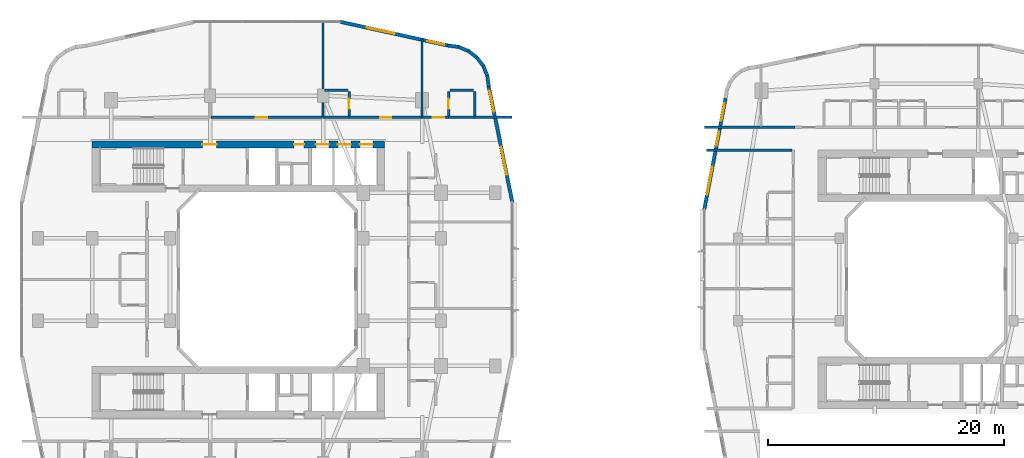
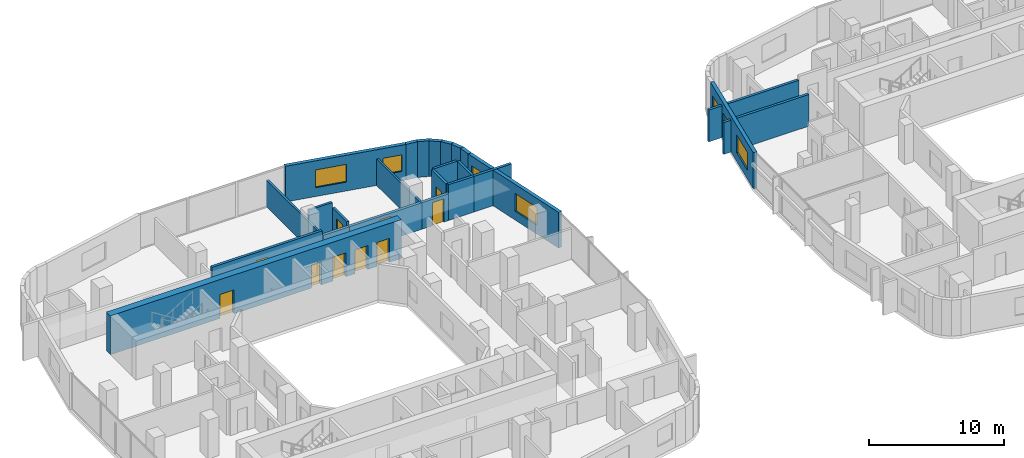
# One storey, part 17 of 27: 25 walls, 10 doors, 7 windows, 17 openings.
"""IFC4 building model written with IfcOpenShell, lengths in metres."""

from ifc_helpers import new_model, si_unit, derived_unit, direction, frame, frame_2d, origin, place, context, subcontext, project, spatial, rectangle, extrude, material, layer, layer_set, type_object, element, fill, save


model = new_model("IFC4")

# Units and contexts
model_context = context("Model", 3, precision=1e-05, world=origin(), true_north=direction((0.0, 1.0)))
body_context = subcontext(model_context, "Body", "Model", "MODEL_VIEW")
ifc_project = project(units=[si_unit("LENGTHUNIT", "METRE"), si_unit("AREAUNIT", "SQUARE_METRE"), si_unit("VOLUMEUNIT", "CUBIC_METRE"), si_unit("PLANEANGLEUNIT", "RADIAN"), si_unit("MASSUNIT", "GRAM", prefix="KILO"), derived_unit("THERMALTRANSMITTANCEUNIT", [(si_unit("POWERUNIT", "WATT"), 1), (si_unit("LENGTHUNIT", "METRE"), -2), (si_unit("THERMODYNAMICTEMPERATUREUNIT", "KELVIN"), -1)])], contexts=[model_context])

# Site, building, storey
site_placement = place(None, origin())
site = spatial("IfcSite", under=ifc_project, at=site_placement, CompositionType="ELEMENT")
building_placement = place(site_placement, origin())
building = spatial("IfcBuilding", under=site, at=building_placement, Name="Kivonza Crest Hotel", CompositionType="ELEMENT")
storey_placement = place(building_placement, frame((0.0, 0.0, 34.5)))
storey = spatial("IfcBuildingStorey", under=building, at=storey_placement, Name="L08", CompositionType="ELEMENT", Elevation=34.5)

# Walls
ifc_material_1 = material(Name="High-density acoustic masonry inter-tenancy wall", Category="masonry")
ifc_layer_1 = layer(ifc_material_1, 0.179931640625)
ifc_layer_set_1 = layer_set([ifc_layer_1], Name="High-density acoustic masonry inter-tenancy wall")
wall_type_1 = type_object("IfcWallType", Name="WL-ACOU-180", PredefinedType="SOLIDWALL", material=ifc_layer_set_1)
wall_1_placement = place(storey_placement, frame((25.800048828125, 38.75, 0.0), z_axis=(0.0, 0.0, 1.0), x_axis=(0.0, 1.0, 0.0)))
element("IfcWall", 1, at=wall_1_placement, inside=storey, type_object=wall_type_1, Name="L08 interior partition WA-L08-T1N-DIV2", PredefinedType="SOLIDWALL", context=body_context, shape_type="SweptSolid", body=[
    extrude(rectangle(XDim=8.18994140625, YDim=0.179931640625, at=frame_2d((4.094970703125, 0.0))), origin(), (0.0, 0.0, 1.0), 2.39501953125),
])
wall_2_placement = place(storey_placement, frame((34.199951171875, 38.75, 0.0), z_axis=(0.0, 0.0, 1.0), x_axis=(0.0, 1.0, 0.0)))
element("IfcWall", 2, at=wall_2_placement, inside=storey, type_object=wall_type_1, Name="L08 interior partition WA-L08-T1N-DIV3", PredefinedType="SOLIDWALL", context=body_context, shape_type="SweptSolid", body=[
    extrude(rectangle(XDim=6.674072265625, YDim=0.179931640625, at=frame_2d((3.3369140625, 0.0))), origin(), (0.0, 0.0, 1.0), 2.39501953125),
])

# Wall, opening, door
ifc_material_2 = material(Name="Autoclaved aerated concrete blockwork", Category="masonry")
ifc_layer_2 = layer(ifc_material_2, 0.219970703125)
ifc_layer_set_2 = layer_set([ifc_layer_2], Name="Autoclaved aerated concrete blockwork")
wall_type_2 = type_object("IfcWallType", Name="WL-ACOU-220", PredefinedType="SOLIDWALL", material=ifc_layer_set_2)
wall_3_placement = place(storey_placement, frame((16.300048828125, 38.75, 0.0), z_axis=(0.0, 0.0, 1.0), x_axis=(1.0, 0.0, 0.0)))
wall_3 = element("IfcWall", 3, at=wall_3_placement, inside=storey, type_object=wall_type_2, Name="L08 interior partition WA-L08-HK-MAIN-S", PredefinedType="SOLIDWALL", context=body_context, shape_type="SweptSolid", body=[
    extrude(rectangle(XDim=9.39990234375, YDim=0.219970703125, at=frame_2d((4.699951171875, 0.0))), origin(), (0.0, 0.0, 1.0), 2.8349609375),
])
opening_1_placement = place(wall_3_placement, frame((3.79296875, 0.0, 0.0)))
opening_1 = element("IfcOpeningElement", 4, at=opening_1_placement, cuts=wall_3, Name="Opening DF-60S", PredefinedType="OPENING", context=body_context, shape_type="SweptSolid", body=[
    extrude(rectangle(XDim=0.949951171875, YDim=2.10009765625, at=frame_2d((0.47509765625, 1.050048828125))), frame((0.0, 0.1201171875, 0.0), z_axis=(0.0, -1.0, 0.0), x_axis=(1.0, 0.0, 0.0)), (0.0, 0.0, 1.0), 0.239990234375),
])
ifc_material_3 = material(Name="Hardwood timber oak", Category="wood")
door_type_1 = type_object("IfcDoorType", Name="DR-FD60-950", OperationType="NOTDEFINED", PredefinedType="DOOR", material=ifc_material_3)
door_1_placement = place(opening_1_placement, origin())
door_1 = element("IfcDoor", 5, at=door_1_placement, inside=storey, type_object=door_type_1, Name="L08 Housekeeping and Linen Room door", OperationType="SINGLE_SWING_RIGHT", OverallHeight=2.10009765625, OverallWidth=0.949951171875, PredefinedType="DOOR", context=body_context, shape_type="SweptSolid", body=[
    extrude(rectangle(XDim=0.949951171875, YDim=2.10009765625, at=frame_2d((0.47509765625, 1.050048828125))), frame((0.0, 0.02490234375, 0.0), z_axis=(0.0, -1.0, 0.0), x_axis=(1.0, 0.0, 0.0)), (0.0, 0.0, 1.0), 0.050048828125),
])
fill(opening_1, door_1)

# Wall
wall_4_placement = place(storey_placement, frame((25.800048828125, 38.75, 0.0), z_axis=(0.0, 0.0, 1.0), x_axis=(1.0, 0.0, 0.0)))
element("IfcWall", 6, at=wall_4_placement, inside=storey, type_object=wall_type_2, Name="L08 interior partition WA-L08-N02-BCORR", PredefinedType="SOLIDWALL", context=body_context, shape_type="SweptSolid", body=[
    extrude(rectangle(XDim=2.199951171875, YDim=0.219970703125, at=frame_2d((1.10009765625, 0.0))), origin(), (0.0, 0.0, 1.0), 2.39501953125),
])

# Wall, opening, door
wall_5_placement = place(storey_placement, frame((28.0, 38.75, 0.0), z_axis=(0.0, 0.0, 1.0), x_axis=(1.0, 0.0, 0.0)))
wall_5 = element("IfcWall", 7, at=wall_5_placement, inside=storey, type_object=wall_type_2, Name="L08 interior partition WA-L08-N02-MCORR", PredefinedType="SOLIDWALL", context=body_context, shape_type="SweptSolid", body=[
    extrude(rectangle(XDim=6.199951171875, YDim=0.219970703125, at=frame_2d((3.10009765625, 0.0))), origin(), (0.0, 0.0, 1.0), 2.39501953125),
])
opening_2_placement = place(wall_5_placement, frame((2.625, 0.0, 0.0)))
opening_2 = element("IfcOpeningElement", 8, at=opening_2_placement, cuts=wall_5, Name="Opening DU-60", PredefinedType="OPENING", context=body_context, shape_type="SweptSolid", body=[
    extrude(rectangle(XDim=0.949951171875, YDim=2.10009765625, at=frame_2d((0.47509765625, 1.050048828125))), frame((0.0, 0.1201171875, 0.0), z_axis=(0.0, -1.0, 0.0), x_axis=(1.0, 0.0, 0.0)), (0.0, 0.0, 1.0), 0.239990234375),
])
door_type_2 = type_object("IfcDoorType", Name="DR-UNIT-950", OperationType="NOTDEFINED", PredefinedType="DOOR", material=ifc_material_3)
door_2_placement = place(opening_2_placement, origin())
door_2 = element("IfcDoor", 9, at=door_2_placement, inside=storey, type_object=door_type_2, Name="L08 N02 guest unit entrance fire door", OperationType="SINGLE_SWING_RIGHT", OverallHeight=2.10009765625, OverallWidth=0.949951171875, PredefinedType="DOOR", context=body_context, shape_type="SweptSolid", body=[
    extrude(rectangle(XDim=0.949951171875, YDim=2.10009765625, at=frame_2d((0.47509765625, 1.050048828125))), frame((0.0, 0.02490234375, 0.0), z_axis=(0.0, -1.0, 0.0), x_axis=(1.0, 0.0, 0.0)), (0.0, 0.0, 1.0), 0.050048828125),
])
fill(opening_2, door_2)

# Walls
wall_6_placement = place(storey_placement, frame((38.64990234375, 38.75, 0.0), z_axis=(0.0, 0.0, 1.0), x_axis=(1.0, 0.0, 0.0)))
element("IfcWall", 10, at=wall_6_placement, inside=storey, type_object=wall_type_2, Name="L08 interior partition WA-L08-N03-XCORR", PredefinedType="SOLIDWALL", context=body_context, shape_type="SweptSolid", body=[
    extrude(rectangle(XDim=3.190185546875, YDim=0.219970703125, at=frame_2d((1.59521484375, 0.0))), origin(), (0.0, 0.0, 1.0), 3.219970703125),
])
wall_7_placement = place(storey_placement, frame((36.449951171875, 38.75, 0.0), z_axis=(0.0, 0.0, 1.0), x_axis=(1.0, 0.0, 0.0)))
element("IfcWall", 11, at=wall_7_placement, inside=storey, type_object=wall_type_2, Name="L08 interior partition WA-L08-N03-BCORR", PredefinedType="SOLIDWALL", context=body_context, shape_type="SweptSolid", body=[
    extrude(rectangle(XDim=2.199951171875, YDim=0.219970703125, at=frame_2d((1.10009765625, 0.0))), origin(), (0.0, 0.0, 1.0), 3.219970703125),
])

# Wall, opening, door
wall_8_placement = place(storey_placement, frame((34.199951171875, 38.75, 0.0), z_axis=(0.0, 0.0, 1.0), x_axis=(1.0, 0.0, 0.0)))
wall_8 = element("IfcWall", 12, at=wall_8_placement, inside=storey, type_object=wall_type_2, Name="L08 interior partition WA-L08-N03-MCORR", PredefinedType="SOLIDWALL", context=body_context, shape_type="SweptSolid", body=[
    extrude(rectangle(XDim=2.25, YDim=0.219970703125, at=frame_2d((1.125, 0.0))), origin(), (0.0, 0.0, 1.0), 2.39501953125),
])
opening_3_placement = place(wall_8_placement, frame((0.909912109375, 0.0, 0.0)))
opening_3 = element("IfcOpeningElement", 13, at=opening_3_placement, cuts=wall_8, Name="Opening DU-60", PredefinedType="OPENING", context=body_context, shape_type="SweptSolid", body=[
    extrude(rectangle(XDim=0.949951171875, YDim=2.10009765625, at=frame_2d((0.47509765625, 1.050048828125))), frame((0.0, 0.1201171875, 0.0), z_axis=(0.0, -1.0, 0.0), x_axis=(1.0, 0.0, 0.0)), (0.0, 0.0, 1.0), 0.239990234375),
])
door_3_placement = place(opening_3_placement, origin())
door_3 = element("IfcDoor", 14, at=door_3_placement, inside=storey, type_object=door_type_2, Name="L08 N03 guest unit entrance fire door", OperationType="SINGLE_SWING_LEFT", OverallHeight=2.10009765625, OverallWidth=0.949951171875, PredefinedType="DOOR", context=body_context, shape_type="SweptSolid", body=[
    extrude(rectangle(XDim=0.949951171875, YDim=2.10009765625, at=frame_2d((0.47509765625, 1.050048828125))), frame((0.0, 0.02490234375, 0.0), z_axis=(0.0, -1.0, 0.0), x_axis=(1.0, 0.0, 0.0)), (0.0, 0.0, 1.0), 0.050048828125),
])
fill(opening_3, door_3)

# Walls
wall_9_placement = place(storey_placement, frame((58.159912109375, 37.89990234375, 0.0), z_axis=(0.0, 0.0, 1.0), x_axis=(1.0, 0.0, 0.0)))
element("IfcWall", 15, at=wall_9_placement, inside=storey, type_object=wall_type_2, Name="L08 interior partition WA-L08-A01-LCORR", PredefinedType="SOLIDWALL", context=body_context, shape_type="SweptSolid", body=[
    extrude(rectangle(XDim=7.690185546875, YDim=0.219970703125, at=frame_2d((3.84521484375, 0.0))), origin(), (0.0, 0.0, 1.0), 2.864990234375),
])
wall_10_placement = place(storey_placement, frame((58.320068359375, 35.9599609375, 0.0), z_axis=(0.0, 0.0, 1.0), x_axis=(1.0, 0.0, 0.0)))
element("IfcWall", 16, at=wall_10_placement, inside=storey, type_object=wall_type_2, Name="L08 interior partition WA-L08-T2W-ENDN", PredefinedType="SOLIDWALL", context=body_context, shape_type="SweptSolid", body=[
    extrude(rectangle(XDim=7.280029296875, YDim=0.219970703125, at=frame_2d((3.64013671875, 0.0))), origin(), (0.0, 0.0, 1.0), 2.864990234375),
])

# Wall, openings, doors
ifc_material_4 = material(Name="Concrete C60/75", Category="concrete")
ifc_layer_3 = layer(ifc_material_4, 0.60009765625)
ifc_layer_set_3 = layer_set([ifc_layer_3], Name="Concrete C60/75")
wall_type_3 = type_object("IfcWallType", Name="WL-CORE-600", PredefinedType="SHEAR", material=ifc_layer_set_3)
wall_11_placement = place(storey_placement, frame((6.199951171875, 36.4599609375, 0.0), z_axis=(0.0, 0.0, 1.0), x_axis=(1.0, 0.0, 0.0)))
wall_11 = element("IfcWall", 17, at=wall_11_placement, inside=storey, type_object=wall_type_3, Name="Core wall T1-N North L08", PredefinedType="SHEAR", context=body_context, shape_type="SweptSolid", body=[
    extrude(rectangle(XDim=24.800048828125, YDim=0.60009765625, at=frame_2d((12.39990234375, 0.0))), origin(), (0.0, 0.0, 1.0), 3.5),
])
opening_4_placement = place(wall_11_placement, frame((9.35009765625, 0.0, 0.0)))
opening_4 = element("IfcOpeningElement", 18, at=opening_4_placement, cuts=wall_11, Name="Opening DF-60", PredefinedType="OPENING", context=body_context, shape_type="SweptSolid", body=[
    extrude(rectangle(XDim=1.199951171875, YDim=2.14990234375, at=frame_2d((0.60009765625, 1.074951171875))), frame((0.0, 0.31005859375, 0.0), z_axis=(0.0, -1.0, 0.0), x_axis=(1.0, 0.0, 0.0)), (0.0, 0.0, 1.0), 0.6201171875),
])
opening_5_placement = place(wall_11_placement, frame((17.139892578125, 0.0, 0.0)))
opening_5 = element("IfcOpeningElement", 19, at=opening_5_placement, cuts=wall_11, Name="Opening DF-60R", PredefinedType="OPENING", context=body_context, shape_type="SweptSolid", body=[
    extrude(rectangle(XDim=0.85009765625, YDim=2.10009765625, at=frame_2d((0.425048828125, 1.050048828125))), frame((0.0, 0.31005859375, 0.0), z_axis=(0.0, -1.0, 0.0), x_axis=(1.0, 0.0, 0.0)), (0.0, 0.0, 1.0), 0.6201171875),
])
opening_6_placement = place(wall_11_placement, frame((18.98291015625, 0.0, 0.0)))
opening_6 = element("IfcOpeningElement", 20, at=opening_6_placement, cuts=wall_11, Name="Opening LD-120", PredefinedType="OPENING", context=body_context, shape_type="SweptSolid", body=[
    extrude(rectangle(XDim=1.10009765625, YDim=2.14990234375, at=frame_2d((0.550048828125, 1.074951171875))), frame((0.0, 0.31005859375, 0.0), z_axis=(0.0, -1.0, 0.0), x_axis=(1.0, 0.0, 0.0)), (0.0, 0.0, 1.0), 0.6201171875),
])
opening_7_placement = place(wall_11_placement, frame((20.85009765625, 0.0, 0.0)))
opening_7 = element("IfcOpeningElement", 21, at=opening_7_placement, cuts=wall_11, Name="Opening LD-120", PredefinedType="OPENING", context=body_context, shape_type="SweptSolid", body=[
    extrude(rectangle(XDim=1.10009765625, YDim=2.14990234375, at=frame_2d((0.550048828125, 1.074951171875))), frame((0.0, 0.31005859375, 0.0), z_axis=(0.0, -1.0, 0.0), x_axis=(1.0, 0.0, 0.0)), (0.0, 0.0, 1.0), 0.6201171875),
])
opening_8_placement = place(wall_11_placement, frame((22.716064453125, 0.0, 0.0)))
opening_8 = element("IfcOpeningElement", 22, at=opening_8_placement, cuts=wall_11, Name="Opening LD-120", PredefinedType="OPENING", context=body_context, shape_type="SweptSolid", body=[
    extrude(rectangle(XDim=1.10009765625, YDim=2.14990234375, at=frame_2d((0.550048828125, 1.074951171875))), frame((0.0, 0.31005859375, 0.0), z_axis=(0.0, -1.0, 0.0), x_axis=(1.0, 0.0, 0.0)), (0.0, 0.0, 1.0), 0.6201171875),
])
door_type_3 = type_object("IfcDoorType", Name="DR-FD60-1200", OperationType="NOTDEFINED", PredefinedType="DOOR", material=ifc_material_3)
door_4_placement = place(opening_4_placement, origin())
door_4 = element("IfcDoor", 23, at=door_4_placement, inside=storey, type_object=door_type_3, Name="L08 T1-N firefighting lobby fire door", OperationType="SINGLE_SWING_RIGHT", OverallHeight=2.14990234375, OverallWidth=1.199951171875, PredefinedType="DOOR", context=body_context, shape_type="SweptSolid", body=[
    extrude(rectangle(XDim=1.199951171875, YDim=2.14990234375, at=frame_2d((0.60009765625, 1.074951171875))), frame((0.0, 0.02490234375, 0.0), z_axis=(0.0, -1.0, 0.0), x_axis=(1.0, 0.0, 0.0)), (0.0, 0.0, 1.0), 0.050048828125),
])
fill(opening_4, door_4)
door_type_4 = type_object("IfcDoorType", Name="DR-FD60-850", OperationType="NOTDEFINED", PredefinedType="DOOR", material=ifc_material_3)
door_5_placement = place(opening_5_placement, origin())
door_5 = element("IfcDoor", 24, at=door_5_placement, inside=storey, type_object=door_type_4, Name="L08 T1-N core room door", OperationType="SINGLE_SWING_RIGHT", OverallHeight=2.10009765625, OverallWidth=0.85009765625, PredefinedType="DOOR", context=body_context, shape_type="SweptSolid", body=[
    extrude(rectangle(XDim=0.85009765625, YDim=2.10009765625, at=frame_2d((0.425048828125, 1.050048828125))), frame((0.0, 0.02490234375, 0.0), z_axis=(0.0, -1.0, 0.0), x_axis=(1.0, 0.0, 0.0)), (0.0, 0.0, 1.0), 0.050048828125),
])
fill(opening_5, door_5)
ifc_material_5 = material(Name="Stainless steel", Category="steel")
door_type_5 = type_object("IfcDoorType", Name="DR-LD120-1100", OperationType="NOTDEFINED", PredefinedType="DOOR", material=ifc_material_5)
door_6_placement = place(opening_6_placement, origin())
door_6 = element("IfcDoor", 25, at=door_6_placement, inside=storey, type_object=door_type_5, Name="L08 PL-T1-L1 passenger lift sliding landing door", OperationType="DOUBLE_DOOR_SLIDING", OverallHeight=2.14990234375, OverallWidth=1.10009765625, PredefinedType="DOOR", context=body_context, shape_type="SweptSolid", body=[
    extrude(rectangle(XDim=1.10009765625, YDim=2.14990234375, at=frame_2d((0.550048828125, 1.074951171875))), frame((0.0, 0.02490234375, 0.0), z_axis=(0.0, -1.0, 0.0), x_axis=(1.0, 0.0, 0.0)), (0.0, 0.0, 1.0), 0.050048828125),
])
fill(opening_6, door_6)
door_7_placement = place(opening_7_placement, origin())
door_7 = element("IfcDoor", 26, at=door_7_placement, inside=storey, type_object=door_type_5, Name="L08 PL-T1-L2 passenger lift sliding landing door", OperationType="DOUBLE_DOOR_SLIDING", OverallHeight=2.14990234375, OverallWidth=1.10009765625, PredefinedType="DOOR", context=body_context, shape_type="SweptSolid", body=[
    extrude(rectangle(XDim=1.10009765625, YDim=2.14990234375, at=frame_2d((0.550048828125, 1.074951171875))), frame((0.0, 0.02490234375, 0.0), z_axis=(0.0, -1.0, 0.0), x_axis=(1.0, 0.0, 0.0)), (0.0, 0.0, 1.0), 0.050048828125),
])
fill(opening_7, door_7)
door_8_placement = place(opening_8_placement, origin())
door_8 = element("IfcDoor", 27, at=door_8_placement, inside=storey, type_object=door_type_5, Name="L08 PL-T1-L3 passenger lift sliding landing door", OperationType="DOUBLE_DOOR_SLIDING", OverallHeight=2.14990234375, OverallWidth=1.10009765625, PredefinedType="DOOR", context=body_context, shape_type="SweptSolid", body=[
    extrude(rectangle(XDim=1.10009765625, YDim=2.14990234375, at=frame_2d((0.550048828125, 1.074951171875))), frame((0.0, 0.02490234375, 0.0), z_axis=(0.0, -1.0, 0.0), x_axis=(1.0, 0.0, 0.0)), (0.0, 0.0, 1.0), 0.050048828125),
])
fill(opening_8, door_8)

# Wall, openings, windows
ifc_material_6 = material(Name="Precast concrete C40/50", Category="concrete")
ifc_layer_4 = layer(ifc_material_6, 0.300048828125)
ifc_layer_set_4 = layer_set([ifc_layer_4], Name="Precast concrete C40/50")
wall_type_4 = type_object("IfcWallType", Name="WL-EXT-300", PredefinedType="STANDARD", material=ifc_layer_set_4)
wall_12_placement = place(storey_placement, frame((41.864013671875, 31.51611328125, 0.0), z_axis=(0.0, 0.0, 1.0), x_axis=(-0.199990901713, 0.979797754249, 0.0)))
wall_12 = element("IfcWall", 28, at=wall_12_placement, inside=storey, type_object=wall_type_4, Name="L08 T1 exterior insulated wall 18", PredefinedType="STANDARD", context=body_context, shape_type="SweptSolid", body=[
    extrude(rectangle(XDim=10.065185546875, YDim=0.300048828125, at=frame_2d((5.03271484375, 0.0))), origin(), (0.0, 0.0, 1.0), 3.219970703125),
])
opening_9_placement = place(wall_12_placement, frame((2.428955078125, 0.0, 0.800048828125)))
opening_9 = element("IfcOpeningElement", 29, at=opening_9_placement, cuts=wall_12, Name="Opening WN-05", PredefinedType="OPENING", context=body_context, shape_type="SweptSolid", body=[
    extrude(rectangle(XDim=2.39990234375, YDim=1.60009765625, at=frame_2d((1.199951171875, 0.800048828125))), frame((0.0, 0.16015625, 0.0), z_axis=(0.0, -1.0, 0.0), x_axis=(1.0, 0.0, 0.0)), (0.0, 0.0, 1.0), 0.320068359375),
])
opening_10_placement = place(wall_12_placement, frame((7.886962890625, 0.0, 0.85009765625)))
opening_10 = element("IfcOpeningElement", 30, at=opening_10_placement, cuts=wall_12, Name="Opening WN-03", PredefinedType="OPENING", context=body_context, shape_type="SweptSolid", body=[
    extrude(rectangle(XDim=1.800048828125, YDim=1.5, at=frame_2d((0.89990234375, 0.75))), frame((0.0, 0.16015625, 0.0), z_axis=(0.0, -1.0, 0.0), x_axis=(1.0, 0.0, 0.0)), (0.0, 0.0, 1.0), 0.320068359375),
])
ifc_material_7 = material(Name="Thermally broken bronze aluminium and low-E double glazing", Category="aluminium")
window_type_1 = type_object("IfcWindowType", Name="WN-180x150", PartitioningType="DOUBLE_PANEL_VERTICAL", PredefinedType="WINDOW", material=ifc_material_7)
window_1_placement = place(opening_10_placement, origin())
window_1 = element("IfcWindow", 31, at=window_1_placement, inside=storey, type_object=window_type_1, Name="L08 T1 facade window 18 bay 2", OverallHeight=1.5, OverallWidth=1.800048828125, PartitioningType="SINGLE_PANEL", PredefinedType="WINDOW", context=body_context, shape_type="SweptSolid", body=[
    extrude(rectangle(XDim=1.800048828125, YDim=1.5, at=frame_2d((0.89990234375, 0.75))), frame((0.0, 0.030029296875, 0.0), z_axis=(0.0, -1.0, 0.0), x_axis=(1.0, 0.0, 0.0)), (0.0, 0.0, 1.0), 0.06005859375),
])
fill(opening_10, window_1)
window_type_2 = type_object("IfcWindowType", Name="WN-240x160", PartitioningType="TRIPLE_PANEL_VERTICAL", PredefinedType="WINDOW", material=ifc_material_7)
window_2_placement = place(opening_9_placement, origin())
window_2 = element("IfcWindow", 32, at=window_2_placement, inside=storey, type_object=window_type_2, Name="L08 T1 facade window 18 bay 1", OverallHeight=1.60009765625, OverallWidth=2.39990234375, PartitioningType="SINGLE_PANEL", PredefinedType="WINDOW", context=body_context, shape_type="SweptSolid", body=[
    extrude(rectangle(XDim=2.39990234375, YDim=1.60009765625, at=frame_2d((1.199951171875, 0.800048828125))), frame((0.0, 0.030029296875, 0.0), z_axis=(0.0, -1.0, 0.0), x_axis=(1.0, 0.0, 0.0)), (0.0, 0.0, 1.0), 0.06005859375),
])
fill(opening_9, window_2)

# Walls
wall_13_placement = place(storey_placement, frame((39.85205078125, 41.3720703125, 0.0), z_axis=(0.0, 0.0, 1.0), x_axis=(-0.131174864804, 0.991359246108, 0.0)))
element("IfcWall", 33, at=wall_13_placement, inside=storey, type_object=wall_type_4, Name="L08 T1 exterior insulated wall 19", PredefinedType="STANDARD", context=body_context, shape_type="SweptSolid", body=[
    extrude(rectangle(XDim=0.93798828125, YDim=0.300048828125, at=frame_2d((0.468994140625, 0.0))), origin(), (0.0, 0.0, 1.0), 3.219970703125),
])
wall_14_placement = place(storey_placement, frame((39.748046875, 42.251953125, 0.0), z_axis=(0.0, 0.0, 1.0), x_axis=(-0.382344263057, 0.924019948111, 0.0)))
element("IfcWall", 34, at=wall_14_placement, inside=storey, type_object=wall_type_4, Name="L08 T1 exterior insulated wall 20", PredefinedType="STANDARD", context=body_context, shape_type="SweptSolid", body=[
    extrude(rectangle(XDim=0.95458984375, YDim=0.300048828125, at=frame_2d((0.477294921875, 0.0))), origin(), (0.0, 0.0, 1.0), 3.219970703125),
])
wall_15_placement = place(storey_placement, frame((39.4140625, 43.089111328125, 0.0), z_axis=(0.0, 0.0, 1.0), x_axis=(-0.608474481025, 0.793573440799, 0.0)))
element("IfcWall", 35, at=wall_15_placement, inside=storey, type_object=wall_type_4, Name="L08 T1 exterior insulated wall 21", PredefinedType="STANDARD", context=body_context, shape_type="SweptSolid", body=[
    extrude(rectangle(XDim=0.954833984375, YDim=0.300048828125, at=frame_2d((0.4775390625, 0.0))), origin(), (0.0, 0.0, 1.0), 3.219970703125),
])
wall_16_placement = place(storey_placement, frame((38.875, 43.81201171875, 0.0), z_axis=(0.0, 0.0, 1.0), x_axis=(-0.793668068435, 0.608351047625, 0.0)))
element("IfcWall", 36, at=wall_16_placement, inside=storey, type_object=wall_type_4, Name="L08 T1 exterior insulated wall 22", PredefinedType="STANDARD", context=body_context, shape_type="SweptSolid", body=[
    extrude(rectangle(XDim=0.955078125, YDim=0.300048828125, at=frame_2d((0.4775390625, 0.0))), origin(), (0.0, 0.0, 1.0), 3.219970703125),
])
wall_17_placement = place(storey_placement, frame((38.166015625, 44.368896484375, 0.0), z_axis=(0.0, 0.0, 1.0), x_axis=(-0.924019948111, 0.382344263057, 0.0)))
element("IfcWall", 37, at=wall_17_placement, inside=storey, type_object=wall_type_4, Name="L08 T1 exterior insulated wall 23", PredefinedType="STANDARD", context=body_context, shape_type="SweptSolid", body=[
    extrude(rectangle(XDim=0.95458984375, YDim=0.300048828125, at=frame_2d((0.477294921875, 0.0))), origin(), (0.0, 0.0, 1.0), 3.219970703125),
])
wall_18_placement = place(storey_placement, frame((37.3369140625, 44.72509765625, 0.0), z_axis=(0.0, 0.0, 1.0), x_axis=(-0.991454295543, 0.130454512571, 0.0)))
element("IfcWall", 38, at=wall_18_placement, inside=storey, type_object=wall_type_4, Name="L08 T1 exterior insulated wall 24", PredefinedType="STANDARD", context=body_context, shape_type="SweptSolid", body=[
    extrude(rectangle(XDim=0.97314453125, YDim=0.300048828125, at=frame_2d((0.486572265625, 0.0))), origin(), (0.0, 0.0, 1.0), 3.219970703125),
])

# Wall, openings, windows
wall_19_placement = place(storey_placement, frame((36.3759765625, 44.85205078125, 0.0), z_axis=(0.0, 0.0, 1.0), x_axis=(-0.97654500432, 0.215313386808, 0.0)))
wall_19 = element("IfcWall", 39, at=wall_19_placement, inside=storey, type_object=wall_type_4, Name="L08 T1 exterior insulated wall 25", PredefinedType="STANDARD", context=body_context, shape_type="SweptSolid", body=[
    extrude(rectangle(XDim=9.353515625, YDim=0.300048828125, at=frame_2d((4.6767578125, 0.0))), origin(), (0.0, 0.0, 1.0), 3.219970703125),
])
opening_11_placement = place(wall_19_placement, frame((0.299072265625, 0.0, 0.85009765625)))
opening_11 = element("IfcOpeningElement", 40, at=opening_11_placement, cuts=wall_19, Name="Opening WN-02", PredefinedType="OPENING", context=body_context, shape_type="SweptSolid", body=[
    extrude(rectangle(XDim=1.5, YDim=1.5, at=frame_2d((0.75, 0.75))), frame((0.0, 0.16015625, 0.0), z_axis=(0.0, -1.0, 0.0), x_axis=(1.0, 0.0, 0.0)), (0.0, 0.0, 1.0), 0.320068359375),
])
opening_12_placement = place(wall_19_placement, frame((4.631103515625, 0.0, 0.800048828125)))
opening_12 = element("IfcOpeningElement", 41, at=opening_12_placement, cuts=wall_19, Name="Opening WN-05", PredefinedType="OPENING", context=body_context, shape_type="SweptSolid", body=[
    extrude(rectangle(XDim=2.39990234375, YDim=1.60009765625, at=frame_2d((1.199951171875, 0.800048828125))), frame((0.0, 0.16015625, 0.0), z_axis=(0.0, -1.0, 0.0), x_axis=(1.0, 0.0, 0.0)), (0.0, 0.0, 1.0), 0.320068359375),
])
window_type_3 = type_object("IfcWindowType", Name="WN-150x150", PartitioningType="DOUBLE_PANEL_VERTICAL", PredefinedType="WINDOW", material=ifc_material_7)
window_3_placement = place(opening_11_placement, origin())
window_3 = element("IfcWindow", 42, at=window_3_placement, inside=storey, type_object=window_type_3, Name="L08 T1 facade window 25 bay 1", OverallHeight=1.5, OverallWidth=1.5, PartitioningType="SINGLE_PANEL", PredefinedType="WINDOW", context=body_context, shape_type="SweptSolid", body=[
    extrude(rectangle(XDim=1.5, YDim=1.5, at=frame_2d((0.75, 0.75))), frame((0.0, 0.030029296875, 0.0), z_axis=(0.0, -1.0, 0.0), x_axis=(1.0, 0.0, 0.0)), (0.0, 0.0, 1.0), 0.06005859375),
])
fill(opening_11, window_3)
window_4_placement = place(opening_12_placement, origin())
window_4 = element("IfcWindow", 43, at=window_4_placement, inside=storey, type_object=window_type_2, Name="L08 T1 facade window 25 bay 2", OverallHeight=1.60009765625, OverallWidth=2.39990234375, PartitioningType="SINGLE_PANEL", PredefinedType="WINDOW", context=body_context, shape_type="SweptSolid", body=[
    extrude(rectangle(XDim=2.39990234375, YDim=1.60009765625, at=frame_2d((1.199951171875, 0.800048828125))), frame((0.0, 0.030029296875, 0.0), z_axis=(0.0, -1.0, 0.0), x_axis=(1.0, 0.0, 0.0)), (0.0, 0.0, 1.0), 0.06005859375),
])
fill(opening_12, window_4)

wall_20_placement = place(storey_placement, frame((59.948974609375, 40.3798828125, 0.0), z_axis=(0.0, 0.0, 1.0), x_axis=(-0.188087874316, -0.982152203854, 0.0)))
wall_20 = element("IfcWall", 44, at=wall_20_placement, inside=storey, type_object=wall_type_4, Name="L08 T2 exterior insulated wall 34", PredefinedType="STANDARD", context=body_context, shape_type="SweptSolid", body=[
    extrude(rectangle(XDim=9.6337890625, YDim=0.300048828125, at=frame_2d((4.81689453125, 0.0))), origin(), (0.0, 0.0, 1.0), 3.25),
])
opening_13_placement = place(wall_20_placement, frame((0.451904296875, 0.0, 0.85009765625)))
opening_13 = element("IfcOpeningElement", 45, at=opening_13_placement, cuts=wall_20, Name="Opening WN-02", PredefinedType="OPENING", context=body_context, shape_type="SweptSolid", body=[
    extrude(rectangle(XDim=1.5, YDim=1.5, at=frame_2d((0.75, 0.75))), frame((0.0, 0.16015625, 0.0), z_axis=(0.0, -1.0, 0.0), x_axis=(1.0, 0.0, 0.0)), (0.0, 0.0, 1.0), 0.320068359375),
])
opening_14_placement = place(wall_20_placement, frame((2.9130859375, 0.0, 0.85009765625)))
opening_14 = element("IfcOpeningElement", 46, at=opening_14_placement, cuts=wall_20, Name="Opening WN-01", PredefinedType="OPENING", context=body_context, shape_type="SweptSolid", body=[
    extrude(rectangle(XDim=1.199951171875, YDim=1.5, at=frame_2d((0.60009765625, 0.75))), frame((0.0, 0.16015625, 0.0), z_axis=(0.0, -1.0, 0.0), x_axis=(1.0, 0.0, 0.0)), (0.0, 0.0, 1.0), 0.320068359375),
])
opening_15_placement = place(wall_20_placement, frame((5.927978515625, 0.0, 0.800048828125)))
opening_15 = element("IfcOpeningElement", 47, at=opening_15_placement, cuts=wall_20, Name="Opening WN-05", PredefinedType="OPENING", context=body_context, shape_type="SweptSolid", body=[
    extrude(rectangle(XDim=2.39990234375, YDim=1.60009765625, at=frame_2d((1.199951171875, 0.800048828125))), frame((0.0, 0.16015625, 0.0), z_axis=(0.0, -1.0, 0.0), x_axis=(1.0, 0.0, 0.0)), (0.0, 0.0, 1.0), 0.320068359375),
])
window_type_4 = type_object("IfcWindowType", Name="WN-120x150", PartitioningType="SINGLE_PANEL", PredefinedType="WINDOW", material=ifc_material_7)
window_5_placement = place(opening_14_placement, origin())
window_5 = element("IfcWindow", 48, at=window_5_placement, inside=storey, type_object=window_type_4, Name="L08 T2 facade window 34 bay 2", OverallHeight=1.5, OverallWidth=1.199951171875, PartitioningType="SINGLE_PANEL", PredefinedType="WINDOW", context=body_context, shape_type="SweptSolid", body=[
    extrude(rectangle(XDim=1.199951171875, YDim=1.5, at=frame_2d((0.60009765625, 0.75))), frame((0.0, 0.030029296875, 0.0), z_axis=(0.0, -1.0, 0.0), x_axis=(1.0, 0.0, 0.0)), (0.0, 0.0, 1.0), 0.06005859375),
])
fill(opening_14, window_5)
window_6_placement = place(opening_13_placement, origin())
window_6 = element("IfcWindow", 49, at=window_6_placement, inside=storey, type_object=window_type_3, Name="L08 T2 facade window 34 bay 1", OverallHeight=1.5, OverallWidth=1.5, PartitioningType="SINGLE_PANEL", PredefinedType="WINDOW", context=body_context, shape_type="SweptSolid", body=[
    extrude(rectangle(XDim=1.5, YDim=1.5, at=frame_2d((0.75, 0.75))), frame((0.0, 0.030029296875, 0.0), z_axis=(0.0, -1.0, 0.0), x_axis=(1.0, 0.0, 0.0)), (0.0, 0.0, 1.0), 0.06005859375),
])
fill(opening_13, window_6)
window_7_placement = place(opening_15_placement, origin())
window_7 = element("IfcWindow", 50, at=window_7_placement, inside=storey, type_object=window_type_2, Name="L08 T2 facade window 34 bay 3", OverallHeight=1.60009765625, OverallWidth=2.39990234375, PartitioningType="SINGLE_PANEL", PredefinedType="WINDOW", context=body_context, shape_type="SweptSolid", body=[
    extrude(rectangle(XDim=2.39990234375, YDim=1.60009765625, at=frame_2d((1.199951171875, 0.800048828125))), frame((0.0, 0.030029296875, 0.0), z_axis=(0.0, -1.0, 0.0), x_axis=(1.0, 0.0, 0.0)), (0.0, 0.0, 1.0), 0.06005859375),
])
fill(opening_15, window_7)

# Wall, opening, door
ifc_material_8 = material(Name="Moisture-resistant plumbing chase partition wall", Category="gypsum")
ifc_layer_5 = layer(ifc_material_8, 0.199951171875)
ifc_layer_set_5 = layer_set([ifc_layer_5], Name="Moisture-resistant plumbing chase partition wall")
wall_type_5 = type_object("IfcWallType", Name="WL-PLUMB-200", PredefinedType="PLUMBINGWALL", material=ifc_layer_set_5)
wall_21_placement = place(storey_placement, frame((28.0, 38.85009765625, 0.0), z_axis=(0.0, 0.0, 1.0), x_axis=(0.0, 1.0, 0.0)))
wall_21 = element("IfcWall", 51, at=wall_21_placement, inside=storey, type_object=wall_type_5, Name="L08 interior partition WW-L08-N02-BV", PredefinedType="PLUMBINGWALL", context=body_context, shape_type="SweptSolid", body=[
    extrude(rectangle(XDim=2.099853515625, YDim=0.199951171875, at=frame_2d((1.0498046875, 0.0))), origin(), (0.0, 0.0, 1.0), 2.7451171875),
])
opening_16_placement = place(wall_21_placement, frame((0.625, 0.0, 0.0)))
opening_16 = element("IfcOpeningElement", 52, at=opening_16_placement, cuts=wall_21, Name="Opening DI-85", PredefinedType="OPENING", context=body_context, shape_type="SweptSolid", body=[
    extrude(rectangle(XDim=0.85009765625, YDim=2.10009765625, at=frame_2d((0.425048828125, 1.050048828125))), frame((0.0, 0.10986328125, 0.0), z_axis=(0.0, -1.0, 0.0), x_axis=(1.0, 0.0, 0.0)), (0.0, 0.0, 1.0), 0.219970703125),
])
door_type_6 = type_object("IfcDoorType", Name="DR-INT-850", OperationType="NOTDEFINED", PredefinedType="DOOR", material=ifc_material_3)
door_9_placement = place(opening_16_placement, frame((0.85009765625, 0.0, 0.0), z_axis=(0.0, 0.0, 1.0), x_axis=(-1.0, 0.0, 0.0)))
door_9 = element("IfcDoor", 53, at=door_9_placement, inside=storey, type_object=door_type_6, Name="L08 N02 en-suite bathroom door", OperationType="SINGLE_SWING_LEFT", OverallHeight=2.10009765625, OverallWidth=0.85009765625, PredefinedType="DOOR", context=body_context, shape_type="SweptSolid", body=[
    extrude(rectangle(XDim=0.85009765625, YDim=2.10009765625, at=frame_2d((0.425048828125, 1.050048828125))), frame((0.0, 0.02490234375, 0.0), z_axis=(0.0, -1.0, 0.0), x_axis=(1.0, 0.0, 0.0)), (0.0, 0.0, 1.0), 0.050048828125),
])
fill(opening_16, door_9)

# Wall
wall_22_placement = place(storey_placement, frame((25.89990234375, 41.050048828125, 0.0), z_axis=(0.0, 0.0, 1.0), x_axis=(1.0, 0.0, 0.0)))
element("IfcWall", 54, at=wall_22_placement, inside=storey, type_object=wall_type_5, Name="L08 interior partition WW-L08-N02-BH", PredefinedType="PLUMBINGWALL", context=body_context, shape_type="SweptSolid", body=[
    extrude(rectangle(XDim=2.0, YDim=0.199951171875, at=frame_2d((1.0, 0.0))), origin(), (0.0, 0.0, 1.0), 3.219970703125),
])

# Wall, opening, door
wall_23_placement = place(storey_placement, frame((36.449951171875, 38.85009765625, 0.0), z_axis=(0.0, 0.0, 1.0), x_axis=(0.0, 1.0, 0.0)))
wall_23 = element("IfcWall", 55, at=wall_23_placement, inside=storey, type_object=wall_type_5, Name="L08 interior partition WW-L08-N03-BV", PredefinedType="PLUMBINGWALL", context=body_context, shape_type="SweptSolid", body=[
    extrude(rectangle(XDim=2.099853515625, YDim=0.199951171875, at=frame_2d((1.0498046875, 0.0))), origin(), (0.0, 0.0, 1.0), 3.219970703125),
])
opening_17_placement = place(wall_23_placement, frame((0.625, 0.0, 0.0)))
opening_17 = element("IfcOpeningElement", 56, at=opening_17_placement, cuts=wall_23, Name="Opening DI-85", PredefinedType="OPENING", context=body_context, shape_type="SweptSolid", body=[
    extrude(rectangle(XDim=0.85009765625, YDim=2.10009765625, at=frame_2d((0.425048828125, 1.050048828125))), frame((0.0, 0.10986328125, 0.0), z_axis=(0.0, -1.0, 0.0), x_axis=(1.0, 0.0, 0.0)), (0.0, 0.0, 1.0), 0.219970703125),
])
door_10_placement = place(opening_17_placement, origin())
door_10 = element("IfcDoor", 57, at=door_10_placement, inside=storey, type_object=door_type_6, Name="L08 N03 en-suite bathroom door", OperationType="SINGLE_SWING_RIGHT", OverallHeight=2.10009765625, OverallWidth=0.85009765625, PredefinedType="DOOR", context=body_context, shape_type="SweptSolid", body=[
    extrude(rectangle(XDim=0.85009765625, YDim=2.10009765625, at=frame_2d((0.425048828125, 1.050048828125))), frame((0.0, 0.02490234375, 0.0), z_axis=(0.0, -1.0, 0.0), x_axis=(1.0, 0.0, 0.0)), (0.0, 0.0, 1.0), 0.050048828125),
])
fill(opening_17, door_10)

# Walls
wall_24_placement = place(storey_placement, frame((36.550048828125, 41.050048828125, 0.0), z_axis=(0.0, 0.0, 1.0), x_axis=(1.0, 0.0, 0.0)))
element("IfcWall", 58, at=wall_24_placement, inside=storey, type_object=wall_type_5, Name="L08 interior partition WW-L08-N03-BH", PredefinedType="PLUMBINGWALL", context=body_context, shape_type="SweptSolid", body=[
    extrude(rectangle(XDim=2.0, YDim=0.199951171875, at=frame_2d((1.0, 0.0))), origin(), (0.0, 0.0, 1.0), 3.219970703125),
])
wall_25_placement = place(storey_placement, frame((38.64990234375, 38.85009765625, 0.0), z_axis=(0.0, 0.0, 1.0), x_axis=(0.0, 1.0, 0.0)))
element("IfcWall", 59, at=wall_25_placement, inside=storey, type_object=wall_type_5, Name="L08 interior partition WW-L08-N03-BVE", PredefinedType="PLUMBINGWALL", context=body_context, shape_type="SweptSolid", body=[
    extrude(rectangle(XDim=2.099853515625, YDim=0.199951171875, at=frame_2d((1.0498046875, 0.0))), origin(), (0.0, 0.0, 1.0), 3.219970703125),
])

save(model, "model.ifc")
